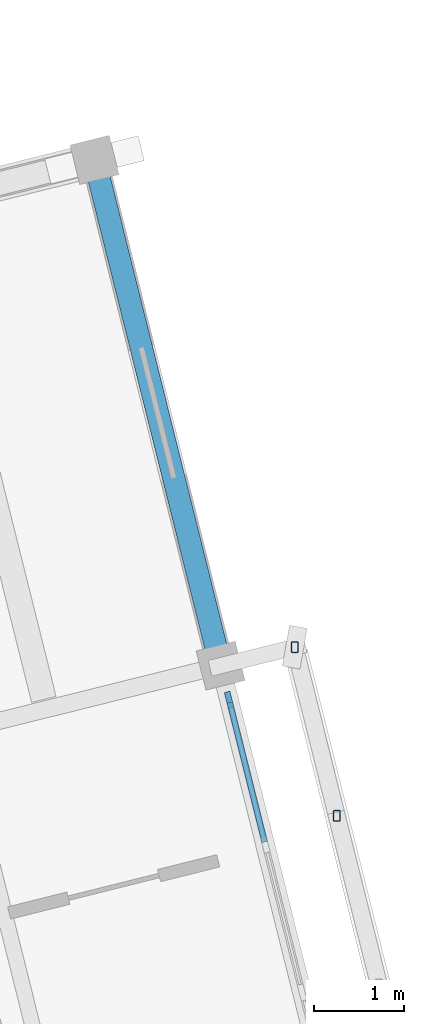
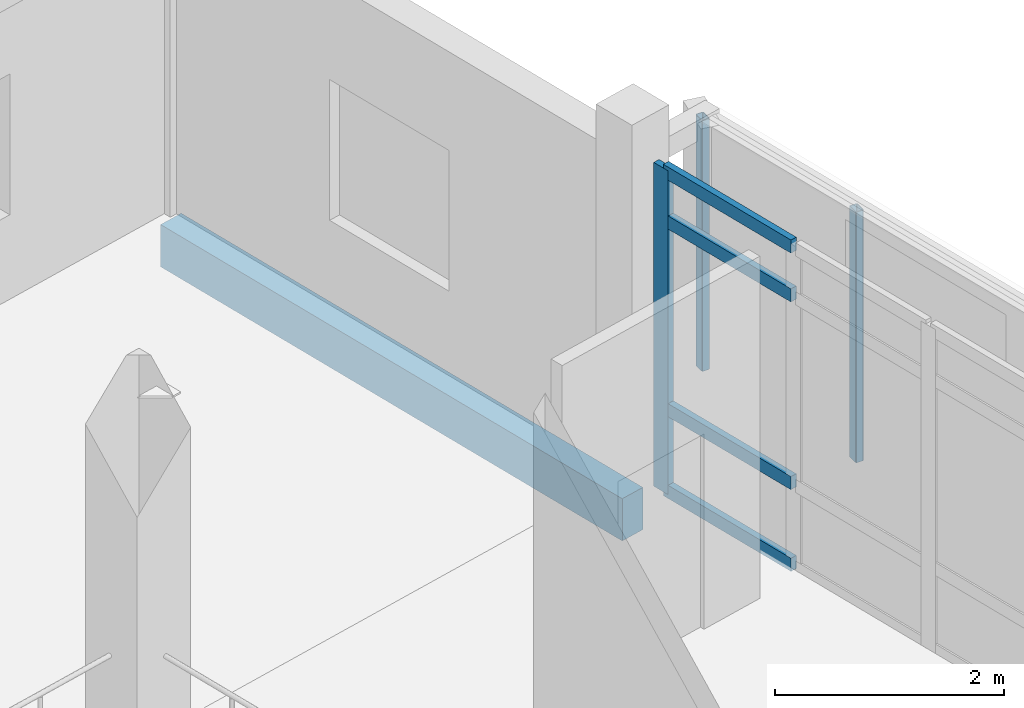
# One storey, part 39 of 117: 7 members, 1 beam, 1 element without a shape of its own.
"""IFC4 building model written with IfcOpenShell, lengths in metres."""

from ifc_helpers import new_model, si_unit, direction, frame, origin, origin_2d, place, context, subcontext, project, spatial, rectangle, hollow_rectangle, extrude, material, material_profile, profile_set, type_object, element, aggregate, save


model = new_model("IFC4")

# Units and contexts
model_context = context("Model", 3, precision=1e-05, world=origin(), true_north=direction((0.0, 1.0)))
body_context = subcontext(model_context, "Body", "Model", "MODEL_VIEW")
ifc_project = project(units=[si_unit("LENGTHUNIT", "METRE"), si_unit("AREAUNIT", "SQUARE_METRE"), si_unit("VOLUMEUNIT", "CUBIC_METRE"), si_unit("PLANEANGLEUNIT", "RADIAN"), si_unit("MASSUNIT", "GRAM", prefix="KILO")], contexts=[model_context])

# Site, building, storey
site_placement = place(None, origin())
site = spatial("IfcSite", under=ifc_project, at=site_placement, CompositionType="ELEMENT")
building_placement = place(site_placement, origin())
building = spatial("IfcBuilding", under=site, at=building_placement, Name="Cinderway Yard Community Centre", CompositionType="ELEMENT")
storey_placement = place(building_placement, frame((0.0, 0.0, 9.0)))
storey = spatial("IfcBuildingStorey", under=building, at=storey_placement, Name="L02", CompositionType="ELEMENT", Elevation=9.0)

# Curtain wall, members
ifc_material_1 = material(Name="Aluminium 6063-T6", Category="aluminium")
curtain_wall_type = type_object("IfcCurtainWallType", Name="ENV-CW-TYPE-07", PredefinedType="USERDEFINED", material=ifc_material_1)
curtain_wall_placement = place(storey_placement, origin())
curtain_wall = element("IfcCurtainWall", 1, at=curtain_wall_placement, inside=storey, type_object=curtain_wall_type, Name="Main Hall Courtyard Curtain Wall ENV-CW-L02-HS-0026", ObjectType="GLAZED CURTAIN WALL", PredefinedType="USERDEFINED")
ifc_material_profile_1 = material_profile(ifc_material_1, rectangle(XDim=0.06494140625, YDim=0.179931640625, at=origin_2d()), Name="Aluminium 6063-T6")
ifc_profile_set_1 = profile_set([ifc_material_profile_1], Name="Aluminium 6063-T6")
member_type_1 = type_object("IfcMemberType", Name="ENV-CW-MULL-180", PredefinedType="MULLION", material=ifc_profile_set_1)
member_1_placement = place(storey_placement, frame((43.0712890625, 72.35791015625, 0.0), z_axis=(0.0, 0.0, 1.0), x_axis=(-0.970258158409, -0.242072522276, 0.0)))
member_1 = element("IfcMember", 2, at=member_1_placement, type_object=member_type_1, Name="CW-07 mullion 4", PredefinedType="MULLION", context=body_context, shape_type="SweptSolid", body=[
    extrude(rectangle(XDim=0.06494140625, YDim=0.179931640625, at=origin_2d()), origin(), (0.0, 0.0, 1.0), 3.449951171875),
])
ifc_material_profile_2 = material_profile(ifc_material_1, rectangle(XDim=0.06494140625, YDim=0.139892578125, at=origin_2d()), Name="Aluminium 6063-T6")
ifc_profile_set_2 = profile_set([ifc_material_profile_2], Name="Aluminium 6063-T6")
member_type_2 = type_object("IfcMemberType", Name="ENV-CW-TRAN-140", PredefinedType="USERDEFINED", material=ifc_profile_set_2)
member_2_placement = place(storey_placement, frame((43.466796875, 70.772705078125, 0.030029296875), z_axis=(-0.242034153032, 0.970267730457, 0.0), x_axis=(-0.970267730457, -0.242034153032, 0.0)))
member_2 = element("IfcMember", 3, at=member_2_placement, type_object=member_type_2, Name="CW-07 transom 3.1", ObjectType="TRANSOM", PredefinedType="USERDEFINED", context=body_context, shape_type="SweptSolid", body=[
    extrude(rectangle(XDim=0.06494140625, YDim=0.139892578125, at=origin_2d()), origin(), (0.0, 0.0, 1.0), 1.603759765625),
])
member_3_placement = place(storey_placement, frame((43.466796875, 70.772705078125, 0.89990234375), z_axis=(-0.242034153032, 0.970267730457, 0.0), x_axis=(-0.970267730457, -0.242034153032, 0.0)))
member_3 = element("IfcMember", 4, at=member_3_placement, type_object=member_type_2, Name="CW-07 transom 3.2", ObjectType="TRANSOM", PredefinedType="USERDEFINED", context=body_context, shape_type="SweptSolid", body=[
    extrude(rectangle(XDim=0.06494140625, YDim=0.139892578125, at=origin_2d()), origin(), (0.0, 0.0, 1.0), 1.603759765625),
])
member_4_placement = place(storey_placement, frame((43.466796875, 70.772705078125, 2.89990234375), z_axis=(-0.242034153032, 0.970267730457, 0.0), x_axis=(-0.970267730457, -0.242034153032, 0.0)))
member_4 = element("IfcMember", 5, at=member_4_placement, type_object=member_type_2, Name="CW-07 transom 3.3", ObjectType="TRANSOM", PredefinedType="USERDEFINED", context=body_context, shape_type="SweptSolid", body=[
    extrude(rectangle(XDim=0.06494140625, YDim=0.139892578125, at=origin_2d()), origin(), (0.0, 0.0, 1.0), 1.603759765625),
])
member_5_placement = place(storey_placement, frame((43.466796875, 70.772705078125, 3.419921875), z_axis=(-0.242034153032, 0.970267730457, 0.0), x_axis=(-0.970267730457, -0.242034153032, 0.0)))
member_5 = element("IfcMember", 6, at=member_5_placement, type_object=member_type_2, Name="CW-07 transom 3.4", ObjectType="TRANSOM", PredefinedType="USERDEFINED", context=body_context, shape_type="SweptSolid", body=[
    extrude(rectangle(XDim=0.06494140625, YDim=0.139892578125, at=origin_2d()), origin(), (0.0, 0.0, 1.0), 1.603759765625),
])
aggregate(curtain_wall, [member_1, member_2, member_3, member_4, member_5])

# Members
ifc_material_2 = material(Name="Steel S355", Category="steel")
ifc_material_profile_3 = material_profile(ifc_material_2, hollow_rectangle(XDim=0.080078125, YDim=0.1201171875, WallThickness=0.00634765625, InnerFilletRadius=0.00634765625, OuterFilletRadius=0.0126953125, at=origin_2d()), Name="Steel S355")
ifc_profile_set_3 = profile_set([ifc_material_profile_3], Name="Steel S355")
member_type_3 = type_object("IfcMemberType", Name="ENV-MEM-SCREEN-RAIL-120", PredefinedType="STRINGER", material=ifc_profile_set_3)
for number, where, z_axis, x_axis, name in (
    (7, (44.27001953125, 71.06591796875, 0.68994140625), (0.0, 0.0, 1.0), (1.0, 0.0, 0.0), "Screen vertical mullion 0937"),
    (8, (43.802001953125, 72.94189453125, 0.68994140625), (0.0, 0.0, 1.0), (1.0, 0.0, 0.0), "Screen vertical mullion 0938"),
):
    element("IfcMember", number, at=place(storey_placement, frame(where, z_axis=z_axis, x_axis=x_axis)), inside=storey, type_object=member_type_3, Name=name, PredefinedType="STRINGER", context=body_context, shape_type="SweptSolid", body=[
        extrude(hollow_rectangle(XDim=0.080078125, YDim=0.1201171875, WallThickness=0.00634765625, InnerFilletRadius=0.00634765625, OuterFilletRadius=0.0126953125, at=origin_2d()), origin(), (0.0, 0.0, 1.0), 2.670166015625),
    ])

# Beam
ifc_material_3 = material(Name="Concrete C40/50", Category="concrete")
ifc_material_profile_4 = material_profile(ifc_material_3, rectangle(XDim=0.25, YDim=0.449951171875, at=origin_2d()), Name="Concrete C40/50")
ifc_profile_set_4 = profile_set([ifc_material_profile_4], Name="Concrete C40/50")
beam_type = type_object("IfcBeamType", Name="STR-BM-RC250X450", PredefinedType="SPANDREL", material=ifc_profile_set_4)
beam_placement = place(storey_placement, frame((42.97705078125, 72.736083984375, -0.465087890625), z_axis=(-0.2419017199, 0.97030075642, 0.0), x_axis=(-0.97030075642, -0.2419017199, 0.0)))
element("IfcBeam", 9, at=beam_placement, inside=storey, type_object=beam_type, Name="Transverse girder STR-BM-L02-SP02-0379", PredefinedType="SPANDREL", context=body_context, shape_type="SweptSolid", body=[
    extrude(rectangle(XDim=0.25, YDim=0.449951171875, at=origin_2d()), origin(), (0.0, 0.0, 1.0), 5.80029296875),
])

save(model, "model.ifc")
